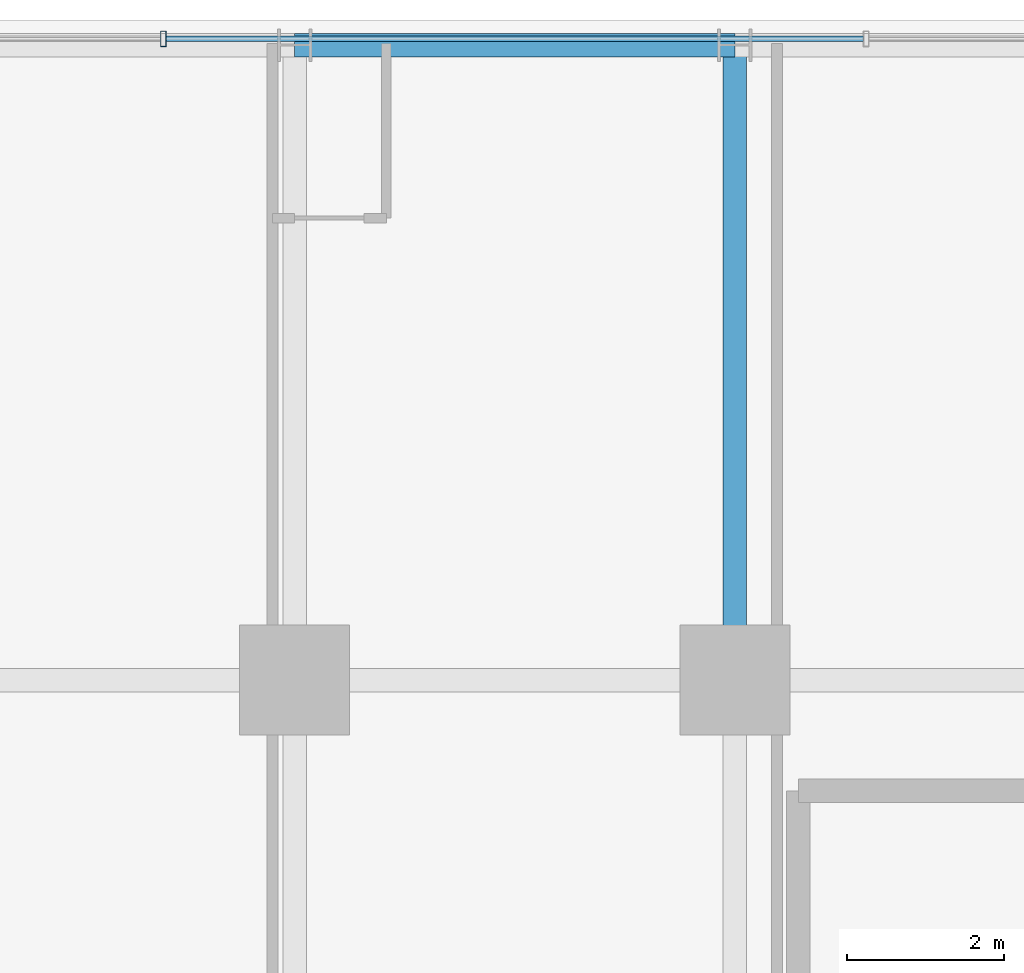
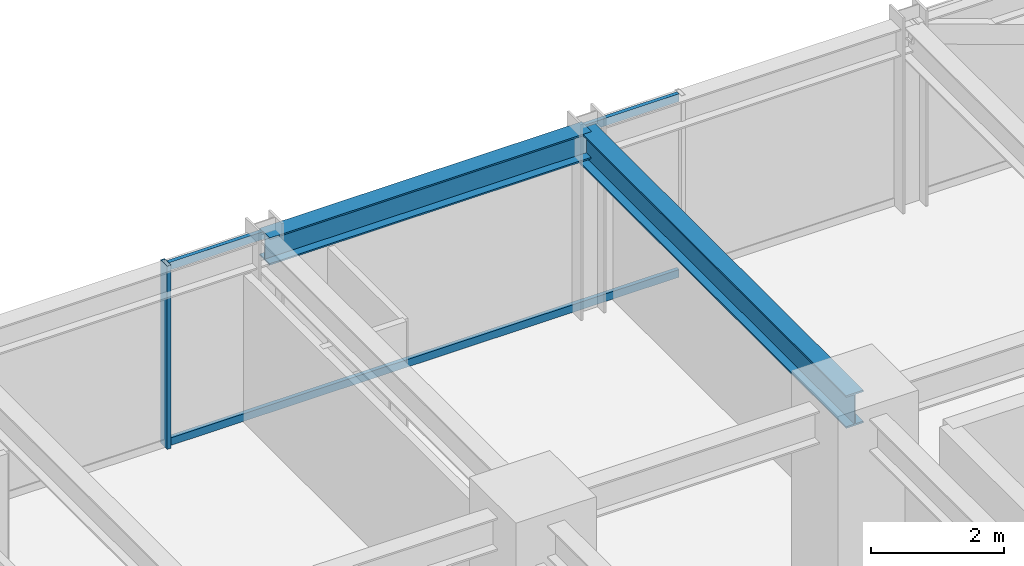
# One storey, part 25 of 37: 3 members, 2 beams, 1 element without a shape of its own.
"""IFC4 building model written with IfcOpenShell, lengths in metres."""

from ifc_helpers import new_model, si_unit, direction, frame, origin, origin_2d, place, context, subcontext, project, spatial, hollow_rectangle, i_section, extrude, source, transform, mapped, material, material_profile, profile_set, type_object, element, aggregate, save


model = new_model("IFC4")

# Units and contexts
model_context = context("Model", 3, precision=1e-05, world=origin(), true_north=direction((0.0, 1.0)))
body_context = subcontext(model_context, "Body", "Model", "MODEL_VIEW")
ifc_project = project(units=[si_unit("LENGTHUNIT", "METRE"), si_unit("AREAUNIT", "SQUARE_METRE"), si_unit("VOLUMEUNIT", "CUBIC_METRE"), si_unit("PLANEANGLEUNIT", "RADIAN"), si_unit("MASSUNIT", "GRAM", prefix="KILO")], contexts=[model_context])

# Site, building, storey
site_placement = place(None, origin())
site = spatial("IfcSite", under=ifc_project, at=site_placement, CompositionType="ELEMENT")
building_placement = place(site_placement, origin())
building = spatial("IfcBuilding", under=site, at=building_placement, Name="Nahalor Promenade Grand Hotel", CompositionType="ELEMENT")
storey_placement = place(building_placement, frame((0.0, 0.0, 65.25)))
storey = spatial("IfcBuildingStorey", under=building, at=storey_placement, Name="L15", CompositionType="ELEMENT", Elevation=65.25)

# Beams
ifc_material_1 = material(Name="Steel S355JR", Category="steel")
ifc_material_profile_1 = material_profile(ifc_material_1, i_section(OverallWidth=0.3, OverallDepth=0.5, WebThickness=0.0145, FlangeThickness=0.028, at=origin_2d()), Name="HEB 500")
ifc_profile_set_1 = profile_set([ifc_material_profile_1], Name="Steel S355JR")
beam_type_1 = type_object("IfcBeamType", Name="Beam-Spandrel-HEB500", PredefinedType="SPANDREL", material=ifc_profile_set_1)
shared_shape_1 = source(origin(), body_context, "Body", "SweptSolid", [
    extrude(i_section(OverallWidth=0.3, OverallDepth=0.5, WebThickness=0.0145, FlangeThickness=0.028, at=origin_2d()), origin(), (0.0, 0.0, 1.0), 5.60009765625),
])
beam_1_placement = place(storey_placement, frame((-2.800048828125, 25.080078125, 3.1201171875), z_axis=(1.0, 0.0, 0.0), x_axis=(0.0, 1.0, 0.0)))
element("IfcBeam", 1, at=beam_1_placement, inside=storey, type_object=beam_type_1, Name="BM-L15-SP-N-2", PredefinedType="SPANDREL", context=body_context, shape_type="MappedRepresentation", body=[
    mapped(shared_shape_1, transform((0.0, 0.0, 0.0), scale=1.0)),
])
ifc_material_profile_2 = material_profile(ifc_material_1, i_section(OverallWidth=0.3, OverallDepth=0.6, WebThickness=0.0155, FlangeThickness=0.03, at=origin_2d()), Name="HEB 600")
ifc_profile_set_2 = profile_set([ifc_material_profile_2], Name="Steel S355JR")
beam_type_2 = type_object("IfcBeamType", Name="Beam-Girder-HEB600", PredefinedType="BEAM", material=ifc_profile_set_2)
shared_shape_2 = source(origin(), body_context, "Body", "SweptSolid", [
    extrude(i_section(OverallWidth=0.3, OverallDepth=0.6, WebThickness=0.0155, FlangeThickness=0.03, at=origin_2d()), origin(), (0.0, 0.0, 1.0), 8.080078125),
])
beam_2_placement = place(storey_placement, frame((2.800048828125, 17.0, 3.070068359375), z_axis=(0.0, 1.0, 0.0), x_axis=(-1.0, 0.0, 0.0)))
element("IfcBeam", 2, at=beam_2_placement, inside=storey, type_object=beam_type_2, Name="BM-L15-GY-3-4", PredefinedType="BEAM", context=body_context, shape_type="MappedRepresentation", body=[
    mapped(shared_shape_2, transform((0.0, 0.0, 0.0), scale=1.0)),
])

# Curtain wall, members
ifc_material_2 = material(Name="Anodised Bronze Aluminium EN AW-6063 T6", Category="aluminium")
curtain_wall_type = type_object("IfcCurtainWallType", Name="CW3 Elliptical-Void Collar Unitised Curtain Wall", PredefinedType="USERDEFINED", material=ifc_material_2)
curtain_wall_placement = place(storey_placement, origin())
curtain_wall = element("IfcCurtainWall", 3, at=curtain_wall_placement, inside=storey, type_object=curtain_wall_type, Name="L15 Curtain Wall CW-L15-N-1", ObjectType="UNITISED_CURTAIN_WALL", PredefinedType="USERDEFINED")
ifc_material_profile_3 = material_profile(ifc_material_2, hollow_rectangle(XDim=0.07, YDim=0.14, WallThickness=0.004, at=origin_2d()), Name="CWT 70x140x4")
ifc_profile_set_3 = profile_set([ifc_material_profile_3], Name="Anodised Bronze Aluminium EN AW-6063 T6")
member_type_1 = type_object("IfcMemberType", Name="CWT3 Void Collar Transom 70x140", PredefinedType="USERDEFINED", material=ifc_profile_set_3)
shared_shape_3 = source(origin(), body_context, "Body", "SweptSolid", [
    extrude(hollow_rectangle(XDim=0.07, YDim=0.14, WallThickness=0.004, at=origin_2d()), origin(), (0.0, 0.0, 1.0), 8.8740234375),
])
member_1_placement = place(storey_placement, frame((-4.43701171875, 25.159912109375, 0.070068359375), z_axis=(1.0, 0.0, 0.0), x_axis=(0.0, 1.0, 0.0)))
member_1 = element("IfcMember", 4, at=member_1_placement, type_object=member_type_1, Name="CW-L15-N-1 Transom 2-0", ObjectType="TRANSOM", PredefinedType="USERDEFINED", context=body_context, shape_type="MappedRepresentation", body=[
    mapped(shared_shape_3, transform((0.0, 0.0, 0.0), scale=1.0)),
])
member_2_placement = place(storey_placement, frame((-4.43701171875, 25.159912109375, 3.300048828125), z_axis=(1.0, 0.0, 0.0), x_axis=(0.0, 1.0, 0.0)))
member_2 = element("IfcMember", 5, at=member_2_placement, type_object=member_type_1, Name="CW-L15-N-1 Transom 2-1", ObjectType="TRANSOM", PredefinedType="USERDEFINED", context=body_context, shape_type="MappedRepresentation", body=[
    mapped(shared_shape_3, transform((0.0, 0.0, 0.0), scale=1.0)),
])
ifc_material_profile_4 = material_profile(ifc_material_2, hollow_rectangle(XDim=0.07, YDim=0.2, WallThickness=0.005, at=origin_2d()), Name="CWM 70x200x5")
ifc_profile_set_4 = profile_set([ifc_material_profile_4], Name="Anodised Bronze Aluminium EN AW-6063 T6")
member_type_2 = type_object("IfcMemberType", Name="CWM3 Void Collar Mullion 70x200", PredefinedType="MULLION", material=ifc_profile_set_4)
shared_shape_4 = source(origin(), body_context, "Body", "SweptSolid", [
    extrude(hollow_rectangle(XDim=0.07, YDim=0.2, WallThickness=0.005, at=origin_2d()), origin(), (0.0, 0.0, 1.0), 3.3701171875),
])
member_3_placement = place(storey_placement, frame((-4.471923828125, 25.159912109375, 0.0), z_axis=(0.0, 0.0, 1.0), x_axis=(1.0, 0.0, 0.0)))
member_3 = element("IfcMember", 6, at=member_3_placement, type_object=member_type_2, Name="CW-L15-N-1 Mullion 2", PredefinedType="MULLION", context=body_context, shape_type="MappedRepresentation", body=[
    mapped(shared_shape_4, transform((0.0, 0.0, 0.0), scale=1.0)),
])
aggregate(curtain_wall, [member_3, member_1, member_2])

save(model, "model.ifc")
